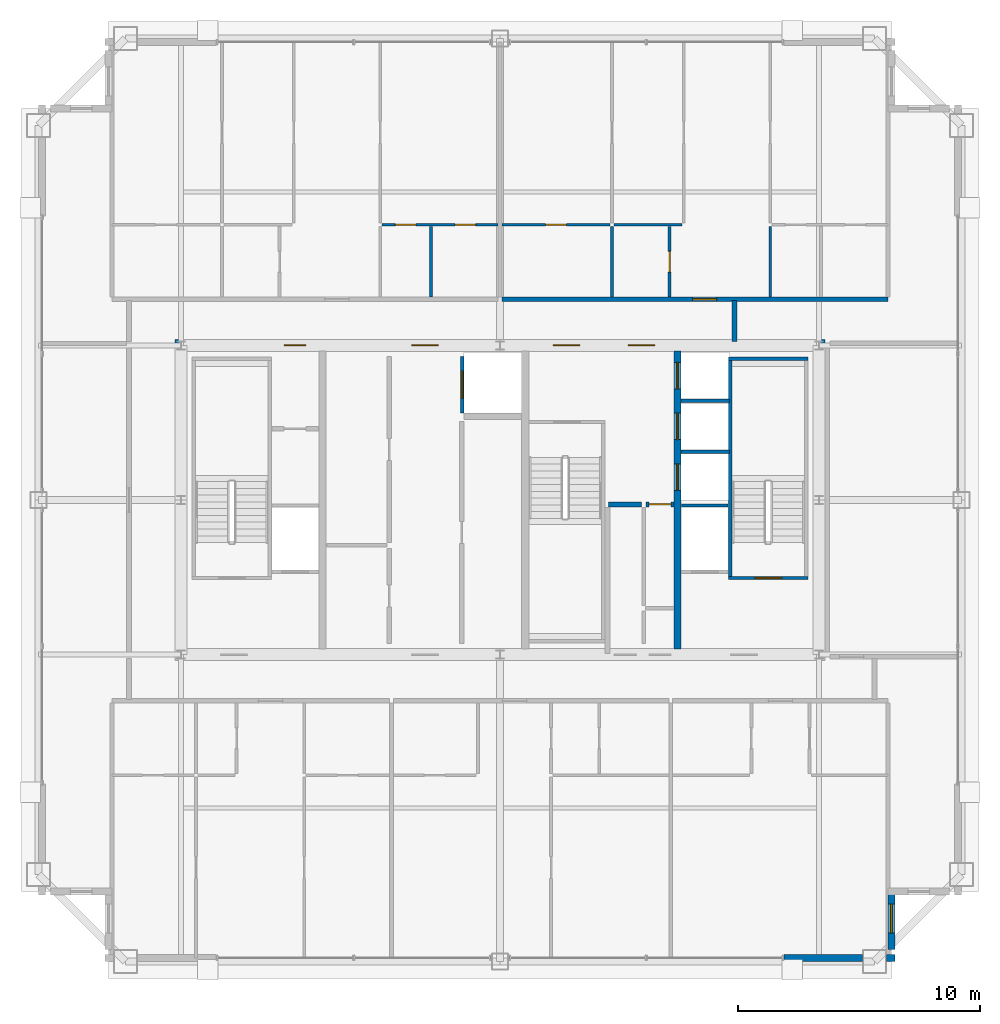
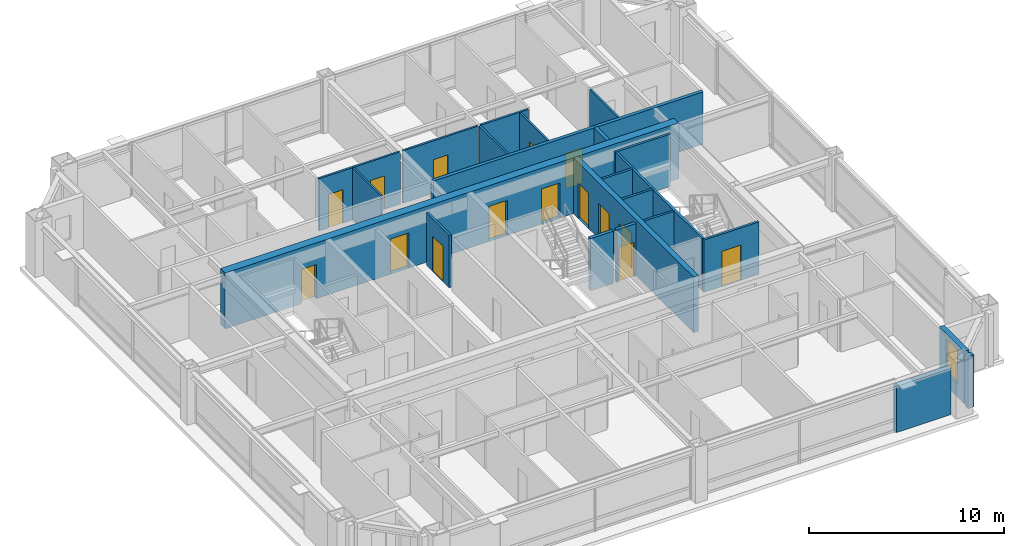
# One storey, part 32 of 35: 23 walls, 15 doors, 1 window, 16 openings.
"""IFC4 building model written with IfcOpenShell, lengths in metres."""

from ifc_helpers import new_model, si_unit, direction, frame, frame_2d, origin, place, context, subcontext, project, spatial, rectangle, extrude, source, transform, mapped, material, layer, layer_set, type_object, element, fill, save


model = new_model("IFC4")

# Units and contexts
model_context = context("Model", 3, precision=1e-05, world=origin(), true_north=direction((0.0, 1.0)))
body_context = subcontext(model_context, "Body", "Model", "MODEL_VIEW")
ifc_project = project(units=[si_unit("LENGTHUNIT", "METRE"), si_unit("AREAUNIT", "SQUARE_METRE"), si_unit("VOLUMEUNIT", "CUBIC_METRE"), si_unit("PLANEANGLEUNIT", "RADIAN"), si_unit("MASSUNIT", "GRAM", prefix="KILO"), si_unit("THERMODYNAMICTEMPERATUREUNIT", "KELVIN"), si_unit("POWERUNIT", "WATT")], contexts=[model_context])

# Site, building, storey
site_placement = place(None, origin())
site = spatial("IfcSite", under=ifc_project, at=site_placement, CompositionType="ELEMENT")
building_placement = place(site_placement, origin())
building = spatial("IfcBuilding", under=site, at=building_placement, Name="Yuzanri Waterfront Tower", CompositionType="ELEMENT")
storey_placement = place(building_placement, frame((0.0, 0.0, 332.199951171875)))
storey = spatial("IfcBuildingStorey", under=building, at=storey_placement, Name="L89", CompositionType="ELEMENT", Elevation=332.199951171875)

# Wall, openings, doors
ifc_material_1 = material(Name="Moisture-Resistant Gypsum Stud Wall", Category="gypsum")
ifc_layer_1 = layer(ifc_material_1, 0.1201171875)
ifc_layer_set_1 = layer_set([ifc_layer_1], Name="Moisture-Resistant Gypsum Stud Wall")
wall_type_1 = type_object("IfcWallType", Name="Bathroom and Kitchen Wet Partition 120", PredefinedType="PARTITIONING", material=ifc_layer_set_1)
wall_1_placement = place(storey_placement, frame((32.1259765625, 37.18994140625, 0.0), z_axis=(0.0, 0.0, 1.0), x_axis=(1.0, 0.0, 0.0)))
wall_1 = element("IfcWall", 1, at=wall_1_placement, inside=storey, type_object=wall_type_1, Name="L89 Partition UW-L89-HN1-SUB-6-S", PredefinedType="PARTITIONING", context=body_context, shape_type="SweptSolid", body=[
    extrude(rectangle(XDim=4.7939453125, YDim=0.1201171875, at=frame_2d((2.39697265625, 0.0))), origin(), (0.0, 0.0, 1.0), 3.280029296875),
])
opening_1_placement = place(wall_1_placement, frame((3.01904296875, 0.0, 0.0)))
opening_1 = element("IfcOpeningElement", 2, at=opening_1_placement, cuts=wall_1, Name="Opening ID-0850", PredefinedType="OPENING", context=body_context, shape_type="SweptSolid", body=[
    extrude(rectangle(XDim=0.85009765625, YDim=2.10009765625, at=frame_2d((0.425048828125, 1.050048828125))), frame((0.0, 0.074951171875, 0.0), z_axis=(0.0, -1.0, 0.0), x_axis=(1.0, 0.0, 0.0)), (0.0, 0.0, 1.0), 0.14990234375),
])
opening_2_placement = place(wall_1_placement, frame((0.5419921875, 0.0, 0.0)))
opening_2 = element("IfcOpeningElement", 3, at=opening_2_placement, cuts=wall_1, Name="Opening ID-0850", PredefinedType="OPENING", context=body_context, shape_type="SweptSolid", body=[
    extrude(rectangle(XDim=0.85009765625, YDim=2.10009765625, at=frame_2d((0.425048828125, 1.050048828125))), frame((0.0, 0.074951171875, 0.0), z_axis=(0.0, -1.0, 0.0), x_axis=(1.0, 0.0, 0.0)), (0.0, 0.0, 1.0), 0.14990234375),
])
ifc_material_2 = material(Name="Moisture-Resistant Lacquered Timber", Category="wood")
door_type_1 = type_object("IfcDoorType", Name="En-Suite Bathroom and Kitchen Swing Door 850x2100", OperationType="NOTDEFINED", PredefinedType="DOOR", material=ifc_material_2)
shared_shape_1 = source(origin(), body_context, "Body", "SweptSolid", [
    extrude(rectangle(XDim=0.85009765625, YDim=2.10009765625, at=frame_2d((0.425048828125, 1.050048828125))), frame((0.0, 0.02490234375, 0.0), z_axis=(0.0, -1.0, 0.0), x_axis=(1.0, 0.0, 0.0)), (0.0, 0.0, 1.0), 0.050048828125),
])
door_1_placement = place(opening_1_placement, origin())
door_1 = element("IfcDoor", 4, at=door_1_placement, inside=storey, type_object=door_type_1, Name="L89 Suite Interior Room Door", OperationType="SINGLE_SWING_RIGHT", OverallHeight=2.10009765625, OverallWidth=0.85009765625, PredefinedType="DOOR", context=body_context, shape_type="MappedRepresentation", body=[
    mapped(shared_shape_1, transform((0.0, 0.0, 0.0), scale=1.0)),
])
fill(opening_1, door_1)
door_2_placement = place(opening_2_placement, origin())
door_2 = element("IfcDoor", 5, at=door_2_placement, inside=storey, type_object=door_type_1, Name="L89 Suite Interior Room Door", OperationType="SINGLE_SWING_LEFT", OverallHeight=2.10009765625, OverallWidth=0.85009765625, PredefinedType="DOOR", context=body_context, shape_type="MappedRepresentation", body=[
    mapped(shared_shape_1, transform((0.0, 0.0, 0.0), scale=1.0)),
])
fill(opening_2, door_2)

# Wall, opening, door
wall_2_placement = place(storey_placement, frame((37.080078125, 37.18994140625, 0.0), z_axis=(0.0, 0.0, 1.0), x_axis=(1.0, 0.0, 0.0)))
wall_2 = element("IfcWall", 6, at=wall_2_placement, inside=storey, type_object=wall_type_1, Name="L89 Partition UW-L89-HN2-SUB-1-N", PredefinedType="PARTITIONING", context=body_context, shape_type="SweptSolid", body=[
    extrude(rectangle(XDim=4.473876953125, YDim=0.1201171875, at=frame_2d((2.23681640625, 0.0))), origin(), (0.0, 0.0, 1.0), 3.280029296875),
])
opening_3_placement = place(wall_2_placement, frame((1.81201171875, 0.0, 0.0)))
opening_3 = element("IfcOpeningElement", 7, at=opening_3_placement, cuts=wall_2, Name="Opening ID-0850", PredefinedType="OPENING", context=body_context, shape_type="SweptSolid", body=[
    extrude(rectangle(XDim=0.85009765625, YDim=2.10009765625, at=frame_2d((0.425048828125, 1.050048828125))), frame((0.0, 0.074951171875, 0.0), z_axis=(0.0, -1.0, 0.0), x_axis=(1.0, 0.0, 0.0)), (0.0, 0.0, 1.0), 0.14990234375),
])
door_3_placement = place(opening_3_placement, origin())
door_3 = element("IfcDoor", 8, at=door_3_placement, inside=storey, type_object=door_type_1, Name="L89 Suite Interior Room Door", OperationType="SINGLE_SWING_RIGHT", OverallHeight=2.10009765625, OverallWidth=0.85009765625, PredefinedType="DOOR", context=body_context, shape_type="MappedRepresentation", body=[
    mapped(shared_shape_1, transform((0.0, 0.0, 0.0), scale=1.0)),
])
fill(opening_3, door_3)

wall_3_placement = place(storey_placement, frame((44.02197265625, 34.2099609375, 0.0), z_axis=(0.0, 0.0, 1.0), x_axis=(0.0, 1.0, 0.0)))
wall_3 = element("IfcWall", 9, at=wall_3_placement, inside=storey, type_object=wall_type_1, Name="L89 Partition UW-L89-HN2-SUB-2-E", PredefinedType="PARTITIONING", context=body_context, shape_type="SweptSolid", body=[
    extrude(rectangle(XDim=2.900146484375, YDim=0.1201171875, at=frame_2d((1.4501953125, 0.0))), origin(), (0.0, 0.0, 1.0), 3.280029296875),
])
opening_4_placement = place(wall_3_placement, frame((1.02490234375, 0.0, 0.0)))
opening_4 = element("IfcOpeningElement", 10, at=opening_4_placement, cuts=wall_3, Name="Opening ID-0850", PredefinedType="OPENING", context=body_context, shape_type="SweptSolid", body=[
    extrude(rectangle(XDim=0.85009765625, YDim=2.10009765625, at=frame_2d((0.425048828125, 1.050048828125))), frame((0.0, 0.074951171875, 0.0), z_axis=(0.0, -1.0, 0.0), x_axis=(1.0, 0.0, 0.0)), (0.0, 0.0, 1.0), 0.14990234375),
])
door_4_placement = place(opening_4_placement, origin())
door_4 = element("IfcDoor", 11, at=door_4_placement, inside=storey, type_object=door_type_1, Name="L89 Suite Interior Room Door", OperationType="SINGLE_SWING_LEFT", OverallHeight=2.10009765625, OverallWidth=0.85009765625, PredefinedType="DOOR", context=body_context, shape_type="MappedRepresentation", body=[
    mapped(shared_shape_1, transform((0.0, 0.0, 0.0), scale=1.0)),
])
fill(opening_4, door_4)

# Wall, opening, window
ifc_material_3 = material(Name="Honed Chongqing Dark Basalt Stone", Category="masonry")
ifc_layer_2 = layer(ifc_material_3, 0.300048828125)
ifc_layer_set_2 = layer_set([ifc_layer_2], Name="Honed Chongqing Dark Basalt Stone")
wall_type_2 = type_object("IfcWallType", Name="Bronze Rainscreen Insulated Spandrel Portal Wall 300", PredefinedType="SOLIDWALL", material=ifc_layer_set_2)
wall_4_placement = place(storey_placement, frame((53.199951171875, 7.199951171875, 0.0), z_axis=(0.0, 0.0, 1.0), x_axis=(0.0, 1.0, 0.0)))
wall_4 = element("IfcWall", 12, at=wall_4_placement, inside=storey, type_object=wall_type_2, Name="L89 Notched Corner Masonry Wall SE-Y", PredefinedType="SOLIDWALL", context=body_context, shape_type="SweptSolid", body=[
    extrude(rectangle(XDim=2.550048828125, YDim=0.300048828125, at=frame_2d((1.27490234375, 0.0))), origin(), (0.0, 0.0, 1.0), 3.280029296875),
])
opening_5_placement = place(wall_4_placement, frame((0.675048828125, 0.0, 0.85009765625)))
opening_5 = element("IfcOpeningElement", 13, at=opening_5_placement, cuts=wall_4, Name="Opening WN-02", PredefinedType="OPENING", context=body_context, shape_type="SweptSolid", body=[
    extrude(rectangle(XDim=1.199951171875, YDim=2.10009765625, at=frame_2d((0.60009765625, 1.050048828125))), frame((0.0, 0.1650390625, 0.0), z_axis=(0.0, -1.0, 0.0), x_axis=(1.0, 0.0, 0.0)), (0.0, 0.0, 1.0), 0.329833984375),
])
ifc_material_4 = material(Name="Double-Silver Low-E Insulated Glass", Category="glass")
window_type = type_object("IfcWindowType", Name="Anodized Bronze Notched Corner Deep-Set Slot Window 1200x2100", PartitioningType="SINGLE_PANEL", PredefinedType="WINDOW", material=ifc_material_4)
shared_shape_2 = source(origin(), body_context, "Body", "SweptSolid", [
    extrude(rectangle(XDim=1.199951171875, YDim=2.10009765625, at=frame_2d((0.60009765625, 1.050048828125))), frame((0.0, 0.030029296875, 0.0), z_axis=(0.0, -1.0, 0.0), x_axis=(1.0, 0.0, 0.0)), (0.0, 0.0, 1.0), 0.06005859375),
])
window_placement = place(opening_5_placement, origin())
window = element("IfcWindow", 14, at=window_placement, inside=storey, type_object=window_type, Name="L89 Notched Corner Window SE-Y", OverallHeight=2.10009765625, OverallWidth=1.199951171875, PartitioningType="SINGLE_PANEL", PredefinedType="WINDOW", context=body_context, shape_type="MappedRepresentation", body=[
    mapped(shared_shape_2, transform((0.0, 0.0, 0.0), scale=1.0)),
])
fill(opening_5, window)

# Wall, openings, doors
ifc_material_5 = material(Name="Concrete C45", Category="concrete")
ifc_layer_3 = layer(ifc_material_5, 0.47998046875)
ifc_layer_set_3 = layer_set([ifc_layer_3], Name="Concrete C45")
wall_type_3 = type_object("IfcWallType", Name="Concrete C45 High-Rise Core Shear Wall 480", PredefinedType="SHEAR", material=ifc_layer_set_3)
wall_5_placement = place(storey_placement, frame((23.56005859375, 32.199951171875, 0.0), z_axis=(0.0, 0.0, 1.0), x_axis=(1.0, 0.0, 0.0)))
wall_5 = element("IfcWall", 15, at=wall_5_placement, inside=storey, type_object=wall_type_3, Name="L89 Core North Shear Wall", PredefinedType="SHEAR", context=body_context, shape_type="SweptSolid", body=[
    extrude(rectangle(XDim=26.8798828125, YDim=0.47998046875, at=frame_2d((13.43994140625, 0.0))), origin(), (0.0, 0.0, 1.0), 3.5),
])
opening_6_placement = place(wall_5_placement, frame((4.510009765625, 0.0, 0.0)))
opening_6 = element("IfcOpeningElement", 16, at=opening_6_placement, cuts=wall_5, Name="Opening FD-0900", PredefinedType="OPENING", context=body_context, shape_type="SweptSolid", body=[
    extrude(rectangle(XDim=0.89990234375, YDim=2.14990234375, at=frame_2d((0.449951171875, 1.074951171875))), frame((0.0, 0.2548828125, 0.0), z_axis=(0.0, -1.0, 0.0), x_axis=(1.0, 0.0, 0.0)), (0.0, 0.0, 1.0), 0.509765625),
])
opening_7_placement = place(wall_5_placement, frame((9.7900390625, 0.0, 0.0)))
opening_7 = element("IfcOpeningElement", 17, at=opening_7_placement, cuts=wall_5, Name="Opening FD-1100", PredefinedType="OPENING", context=body_context, shape_type="SweptSolid", body=[
    extrude(rectangle(XDim=1.10009765625, YDim=2.199951171875, at=frame_2d((0.550048828125, 1.10009765625))), frame((0.0, 0.2548828125, 0.0), z_axis=(0.0, -1.0, 0.0), x_axis=(1.0, 0.0, 0.0)), (0.0, 0.0, 1.0), 0.509765625),
])
opening_8_placement = place(wall_5_placement, frame((15.639892578125, 0.0, 0.0)))
opening_8 = element("IfcOpeningElement", 18, at=opening_8_placement, cuts=wall_5, Name="Opening FD-1100", PredefinedType="OPENING", context=body_context, shape_type="SweptSolid", body=[
    extrude(rectangle(XDim=1.10009765625, YDim=2.199951171875, at=frame_2d((0.550048828125, 1.10009765625))), frame((0.0, 0.2548828125, 0.0), z_axis=(0.0, -1.0, 0.0), x_axis=(1.0, 0.0, 0.0)), (0.0, 0.0, 1.0), 0.509765625),
])
opening_9_placement = place(wall_5_placement, frame((18.739990234375, 0.0, 0.0)))
opening_9 = element("IfcOpeningElement", 19, at=opening_9_placement, cuts=wall_5, Name="Opening FD-1100", PredefinedType="OPENING", context=body_context, shape_type="SweptSolid", body=[
    extrude(rectangle(XDim=1.10009765625, YDim=2.199951171875, at=frame_2d((0.550048828125, 1.10009765625))), frame((0.0, 0.2548828125, 0.0), z_axis=(0.0, -1.0, 0.0), x_axis=(1.0, 0.0, 0.0)), (0.0, 0.0, 1.0), 0.509765625),
])
ifc_material_6 = material(Name="Painted Galvanized Fire Steel", Category="steel")
door_type_2 = type_object("IfcDoorType", Name="Smoke-Proof Stair and Lobby Fire Door 1100x2200", OperationType="NOTDEFINED", PredefinedType="DOOR", material=ifc_material_6)
shared_shape_3 = source(origin(), body_context, "Body", "SweptSolid", [
    extrude(rectangle(XDim=1.10009765625, YDim=2.199951171875, at=frame_2d((0.550048828125, 1.10009765625))), frame((0.0, 0.02490234375, 0.0), z_axis=(0.0, -1.0, 0.0), x_axis=(1.0, 0.0, 0.0)), (0.0, 0.0, 1.0), 0.050048828125),
])
door_5_placement = place(opening_7_placement, origin())
door_5 = element("IfcDoor", 20, at=door_5_placement, inside=storey, type_object=door_type_2, Name="L89 Central Lift Lobby North Door", OperationType="SINGLE_SWING_LEFT", OverallHeight=2.199951171875, OverallWidth=1.10009765625, PredefinedType="DOOR", context=body_context, shape_type="MappedRepresentation", body=[
    mapped(shared_shape_3, transform((0.0, 0.0, 0.0), scale=1.0)),
])
fill(opening_7, door_5)
door_6_placement = place(opening_8_placement, origin())
door_6 = element("IfcDoor", 21, at=door_6_placement, inside=storey, type_object=door_type_2, Name="L89 North Stair Lobby Door", OperationType="SINGLE_SWING_RIGHT", OverallHeight=2.199951171875, OverallWidth=1.10009765625, PredefinedType="DOOR", context=body_context, shape_type="MappedRepresentation", body=[
    mapped(shared_shape_3, transform((0.0, 0.0, 0.0), scale=1.0)),
])
fill(opening_8, door_6)
door_7_placement = place(opening_9_placement, origin())
door_7 = element("IfcDoor", 22, at=door_7_placement, inside=storey, type_object=door_type_2, Name="L89 High-Rise Lift Lobby North Door", OperationType="SINGLE_SWING_LEFT", OverallHeight=2.199951171875, OverallWidth=1.10009765625, PredefinedType="DOOR", context=body_context, shape_type="MappedRepresentation", body=[
    mapped(shared_shape_3, transform((0.0, 0.0, 0.0), scale=1.0)),
])
fill(opening_9, door_7)
ifc_material_7 = material(Name="Painted Galvanized Fire Steel", Category="steel")
door_type_3 = type_object("IfcDoorType", Name="Riser and Service Room Fire Door 900x2150", OperationType="NOTDEFINED", PredefinedType="DOOR", material=ifc_material_7)
shared_shape_4 = source(origin(), body_context, "Body", "SweptSolid", [
    extrude(rectangle(XDim=0.89990234375, YDim=2.14990234375, at=frame_2d((0.449951171875, 1.074951171875))), frame((0.0, 0.02490234375, 0.0), z_axis=(0.0, -1.0, 0.0), x_axis=(1.0, 0.0, 0.0)), (0.0, 0.0, 1.0), 0.050048828125),
])
door_8_placement = place(opening_6_placement, origin())
door_8 = element("IfcDoor", 23, at=door_8_placement, inside=storey, type_object=door_type_3, Name="L89 Telecom Riser Door", OperationType="SINGLE_SWING_RIGHT", OverallHeight=2.14990234375, OverallWidth=0.89990234375, PredefinedType="DOOR", context=body_context, shape_type="MappedRepresentation", body=[
    mapped(shared_shape_4, transform((0.0, 0.0, 0.0), scale=1.0)),
])
fill(opening_6, door_8)

ifc_material_8 = material(Name="Concrete C50", Category="concrete")
ifc_layer_4 = layer(ifc_material_8, 0.300048828125)
ifc_layer_set_4 = layer_set([ifc_layer_4], Name="Concrete C50")
wall_type_4 = type_object("IfcWallType", Name="Concrete C50 Internal Core Shaft Structural Wall 300", PredefinedType="SOLIDWALL", material=ifc_layer_set_4)
wall_6_placement = place(storey_placement, frame((44.35009765625, 19.639892578125, 0.0), z_axis=(0.0, 0.0, 1.0), x_axis=(0.0, 1.0, 0.0)))
wall_6 = element("IfcWall", 24, at=wall_6_placement, inside=storey, type_object=wall_type_4, Name="L89 Core Internal Structural Web Wall 3", PredefinedType="SOLIDWALL", context=body_context, shape_type="SweptSolid", body=[
    extrude(rectangle(XDim=12.320068359375, YDim=0.300048828125, at=frame_2d((6.16015625, 0.0))), origin(), (0.0, 0.0, 1.0), 3.5),
])
opening_10_placement = place(wall_6_placement, frame((6.56005859375, 0.0, 0.0)))
opening_10 = element("IfcOpeningElement", 25, at=opening_10_placement, cuts=wall_6, Name="Opening LD-PL-09", PredefinedType="OPENING", context=body_context, shape_type="SweptSolid", body=[
    extrude(rectangle(XDim=1.10009765625, YDim=2.199951171875, at=frame_2d((0.550048828125, 1.10009765625))), frame((0.0, 0.1650390625, 0.0), z_axis=(0.0, -1.0, 0.0), x_axis=(1.0, 0.0, 0.0)), (0.0, 0.0, 1.0), 0.329833984375),
])
opening_11_placement = place(wall_6_placement, frame((8.659912109375, 0.0, 0.0)))
opening_11 = element("IfcOpeningElement", 26, at=opening_11_placement, cuts=wall_6, Name="Opening LD-PL-10", PredefinedType="OPENING", context=body_context, shape_type="SweptSolid", body=[
    extrude(rectangle(XDim=1.10009765625, YDim=2.199951171875, at=frame_2d((0.550048828125, 1.10009765625))), frame((0.0, 0.1650390625, 0.0), z_axis=(0.0, -1.0, 0.0), x_axis=(1.0, 0.0, 0.0)), (0.0, 0.0, 1.0), 0.329833984375),
])
opening_12_placement = place(wall_6_placement, frame((10.760009765625, 0.0, 0.0)))
opening_12 = element("IfcOpeningElement", 27, at=opening_12_placement, cuts=wall_6, Name="Opening LD-PL-11", PredefinedType="OPENING", context=body_context, shape_type="SweptSolid", body=[
    extrude(rectangle(XDim=1.10009765625, YDim=2.199951171875, at=frame_2d((0.550048828125, 1.10009765625))), frame((0.0, 0.1650390625, 0.0), z_axis=(0.0, -1.0, 0.0), x_axis=(1.0, 0.0, 0.0)), (0.0, 0.0, 1.0), 0.329833984375),
])
ifc_material_9 = material(Name="Brushed Bronze and Stainless Steel Cab", Category="steel")
door_type_4 = type_object("IfcDoorType", Name="Center-Parting Bronze Lift Landing Sliding Door 1100x2200", OperationType="NOTDEFINED", PredefinedType="DOOR", material=ifc_material_9)
shared_shape_5 = source(origin(), body_context, "Body", "SweptSolid", [
    extrude(rectangle(XDim=1.10009765625, YDim=2.199951171875, at=frame_2d((0.550048828125, 1.10009765625))), frame((0.0, 0.02490234375, 0.0), z_axis=(0.0, -1.0, 0.0), x_axis=(1.0, 0.0, 0.0)), (0.0, 0.0, 1.0), 0.050048828125),
])
door_9_placement = place(opening_10_placement, origin())
door_9 = element("IfcDoor", 28, at=door_9_placement, inside=storey, type_object=door_type_4, Name="L89 PL-09 Lift Landing Sliding Door", OperationType="SLIDING_TO_LEFT", OverallHeight=2.199951171875, OverallWidth=1.10009765625, PredefinedType="DOOR", context=body_context, shape_type="MappedRepresentation", body=[
    mapped(shared_shape_5, transform((0.0, 0.0, 0.0), scale=1.0)),
])
fill(opening_10, door_9)
door_10_placement = place(opening_11_placement, origin())
door_10 = element("IfcDoor", 29, at=door_10_placement, inside=storey, type_object=door_type_4, Name="L89 PL-10 Lift Landing Sliding Door", OperationType="SLIDING_TO_RIGHT", OverallHeight=2.199951171875, OverallWidth=1.10009765625, PredefinedType="DOOR", context=body_context, shape_type="MappedRepresentation", body=[
    mapped(shared_shape_5, transform((0.0, 0.0, 0.0), scale=1.0)),
])
fill(opening_11, door_10)
door_11_placement = place(opening_12_placement, origin())
door_11 = element("IfcDoor", 30, at=door_11_placement, inside=storey, type_object=door_type_4, Name="L89 PL-11 Lift Landing Sliding Door", OperationType="SLIDING_TO_LEFT", OverallHeight=2.199951171875, OverallWidth=1.10009765625, PredefinedType="DOOR", context=body_context, shape_type="MappedRepresentation", body=[
    mapped(shared_shape_5, transform((0.0, 0.0, 0.0), scale=1.0)),
])
fill(opening_12, door_11)

# Wall, opening, door
ifc_material_10 = material(Name="Concrete C40", Category="concrete")
ifc_layer_5 = layer(ifc_material_10, 0.139892578125)
ifc_layer_set_5 = layer_set([ifc_layer_5], Name="Concrete C40")
wall_type_5 = type_object("IfcWallType", Name="Core Stair Liner and Hoistway Shaft Wall 140", PredefinedType="SOLIDWALL", material=ifc_layer_set_5)
wall_7_placement = place(storey_placement, frame((35.429931640625, 29.39990234375, 0.0), z_axis=(0.0, 0.0, 1.0), x_axis=(0.0, 1.0, 0.0)))
wall_7 = element("IfcWall", 31, at=wall_7_placement, inside=storey, type_object=wall_type_5, Name="L89 Lift SL-02 Front Shaft Wall", PredefinedType="SOLIDWALL", context=body_context, shape_type="SweptSolid", body=[
    extrude(rectangle(XDim=2.340087890625, YDim=0.139892578125, at=frame_2d((1.169921875, 0.0))), origin(), (0.0, 0.0, 1.0), 3.280029296875),
])
opening_13_placement = place(wall_7_placement, frame((0.6201171875, 0.0, 0.0)))
opening_13 = element("IfcOpeningElement", 32, at=opening_13_placement, cuts=wall_7, Name="Opening LD-SL-02", PredefinedType="OPENING", context=body_context, shape_type="SweptSolid", body=[
    extrude(rectangle(XDim=1.10009765625, YDim=2.199951171875, at=frame_2d((0.550048828125, 1.10009765625))), frame((0.0, 0.0849609375, 0.0), z_axis=(0.0, -1.0, 0.0), x_axis=(1.0, 0.0, 0.0)), (0.0, 0.0, 1.0), 0.169677734375),
])
door_12_placement = place(opening_13_placement, origin())
door_12 = element("IfcDoor", 33, at=door_12_placement, inside=storey, type_object=door_type_4, Name="L89 SL-02 Lift Landing Sliding Door", OperationType="SLIDING_TO_RIGHT", OverallHeight=2.199951171875, OverallWidth=1.10009765625, PredefinedType="DOOR", context=body_context, shape_type="MappedRepresentation", body=[
    mapped(shared_shape_5, transform((0.0, 0.0, 0.0), scale=1.0)),
])
fill(opening_13, door_12)

wall_8_placement = place(storey_placement, frame((46.4599609375, 22.570068359375, 0.0), z_axis=(0.0, 0.0, 1.0), x_axis=(1.0, 0.0, 0.0)))
wall_8 = element("IfcWall", 34, at=wall_8_placement, inside=storey, type_object=wall_type_5, Name="L89 Shaft Wall STW-L89-ST-02-S", PredefinedType="SOLIDWALL", context=body_context, shape_type="SweptSolid", body=[
    extrude(rectangle(XDim=3.280029296875, YDim=0.139892578125, at=frame_2d((1.64013671875, 0.0))), origin(), (0.0, 0.0, 1.0), 3.280029296875),
])
opening_14_placement = place(wall_8_placement, frame((1.090087890625, 0.0, 0.0)))
opening_14 = element("IfcOpeningElement", 35, at=opening_14_placement, cuts=wall_8, Name="Opening FD-1100", PredefinedType="OPENING", context=body_context, shape_type="SweptSolid", body=[
    extrude(rectangle(XDim=1.10009765625, YDim=2.199951171875, at=frame_2d((0.550048828125, 1.10009765625))), frame((0.0, 0.0849609375, 0.0), z_axis=(0.0, -1.0, 0.0), x_axis=(1.0, 0.0, 0.0)), (0.0, 0.0, 1.0), 0.169677734375),
])
door_13_placement = place(opening_14_placement, origin())
door_13 = element("IfcDoor", 36, at=door_13_placement, inside=storey, type_object=door_type_2, Name="L89 Stair ST-02 Fire Door", OperationType="SINGLE_SWING_LEFT", OverallHeight=2.199951171875, OverallWidth=1.10009765625, PredefinedType="DOOR", context=body_context, shape_type="MappedRepresentation", body=[
    mapped(shared_shape_3, transform((0.0, 0.0, 0.0), scale=1.0)),
])
fill(opening_14, door_13)

ifc_material_11 = material(Name="Autoclaved Aerated Concrete Blockwork", Category="masonry")
ifc_layer_6 = layer(ifc_material_11, 0.199951171875)
ifc_layer_set_6 = layer_set([ifc_layer_6], Name="Autoclaved Aerated Concrete Blockwork")
wall_type_6 = type_object("IfcWallType", Name="Corridor and Unit Party Fire Wall 200", PredefinedType="PARTITIONING", material=ifc_layer_set_6)
wall_9_placement = place(storey_placement, frame((43.050048828125, 25.6201171875, 0.0), z_axis=(0.0, 0.0, 1.0), x_axis=(1.0, 0.0, 0.0)))
wall_9 = element("IfcWall", 37, at=wall_9_placement, inside=storey, type_object=wall_type_6, Name="L89 Partition CRW-L89-BOHH-2", PredefinedType="PARTITIONING", context=body_context, shape_type="SweptSolid", body=[
    extrude(rectangle(XDim=1.14990234375, YDim=0.199951171875, at=frame_2d((0.574951171875, 0.0))), origin(), (0.0, 0.0, 1.0), 3.280029296875),
])
opening_15_placement = place(wall_9_placement, frame((0.1201171875, 0.0, 0.0)))
opening_15 = element("IfcOpeningElement", 38, at=opening_15_placement, cuts=wall_9, Name="Opening FD-0900", PredefinedType="OPENING", context=body_context, shape_type="SweptSolid", body=[
    extrude(rectangle(XDim=0.89990234375, YDim=2.14990234375, at=frame_2d((0.449951171875, 1.074951171875))), frame((0.0, 0.11474609375, 0.0), z_axis=(0.0, -1.0, 0.0), x_axis=(1.0, 0.0, 0.0)), (0.0, 0.0, 1.0), 0.229736328125),
])
door_14_placement = place(opening_15_placement, origin())
door_14 = element("IfcDoor", 39, at=door_14_placement, inside=storey, type_object=door_type_3, Name="L89 Linen Store Room", OperationType="SINGLE_SWING_RIGHT", OverallHeight=2.14990234375, OverallWidth=0.89990234375, PredefinedType="DOOR", context=body_context, shape_type="MappedRepresentation", body=[
    mapped(shared_shape_4, transform((0.0, 0.0, 0.0), scale=1.0)),
])
fill(opening_15, door_14)

wall_10_placement = place(storey_placement, frame((37.080078125, 34.110107421875, 0.0), z_axis=(0.0, 0.0, 1.0), x_axis=(1.0, 0.0, 0.0)))
wall_10 = element("IfcWall", 40, at=wall_10_placement, inside=storey, type_object=wall_type_6, Name="L89 Partition UW-L89-HN2-CS", PredefinedType="PARTITIONING", context=body_context, shape_type="SweptSolid", body=[
    extrude(rectangle(XDim=15.97998046875, YDim=0.199951171875, at=frame_2d((7.989990234375, 0.0))), origin(), (0.0, 0.0, 1.0), 3.280029296875),
])
opening_16_placement = place(wall_10_placement, frame((7.887939453125, 0.0, 0.0)))
opening_16 = element("IfcOpeningElement", 41, at=opening_16_placement, cuts=wall_10, Name="Opening FD-1000", PredefinedType="OPENING", context=body_context, shape_type="SweptSolid", body=[
    extrude(rectangle(XDim=1.0, YDim=2.199951171875, at=frame_2d((0.5, 1.10009765625))), frame((0.0, 0.11474609375, 0.0), z_axis=(0.0, -1.0, 0.0), x_axis=(1.0, 0.0, 0.0)), (0.0, 0.0, 1.0), 0.229736328125),
])
ifc_material_12 = material(Name="Engineered Oak Fire-Rated Timber", Category="wood")
door_type_5 = type_object("IfcDoorType", Name="Guestroom and Apartment Entrance Fire Door 1000x2200", OperationType="NOTDEFINED", PredefinedType="DOOR", material=ifc_material_12)
shared_shape_6 = source(origin(), body_context, "Body", "SweptSolid", [
    extrude(rectangle(XDim=1.0, YDim=2.199951171875, at=frame_2d((0.5, 1.10009765625))), frame((0.0, 0.02490234375, 0.0), z_axis=(0.0, -1.0, 0.0), x_axis=(1.0, 0.0, 0.0)), (0.0, 0.0, 1.0), 0.050048828125),
])
door_15_placement = place(opening_16_placement, origin())
door_15 = element("IfcDoor", 42, at=door_15_placement, inside=storey, type_object=door_type_5, Name="L89 Apartment Living and Dining Salon Entrance Door", OperationType="SINGLE_SWING_LEFT", OverallHeight=2.199951171875, OverallWidth=1.0, PredefinedType="DOOR", context=body_context, shape_type="MappedRepresentation", body=[
    mapped(shared_shape_6, transform((0.0, 0.0, 0.0), scale=1.0)),
])
fill(opening_16, door_15)

# Walls
shared_shape_7 = source(origin(), body_context, "Body", "SweptSolid", [
    extrude(rectangle(XDim=3.25, YDim=0.300048828125, at=frame_2d((1.625, 0.0))), origin(), (0.0, 0.0, 1.0), 2.885009765625),
])
wall_11_placement = place(storey_placement, frame((48.75, 6.85009765625, 0.0), z_axis=(0.0, 0.0, 1.0), x_axis=(1.0, 0.0, 0.0)))
element("IfcWall", 43, at=wall_11_placement, inside=storey, type_object=wall_type_2, Name="L89 S Right Braced Masonry Shoulder", PredefinedType="SOLIDWALL", context=body_context, shape_type="MappedRepresentation", body=[
    mapped(shared_shape_7, transform((0.0, 0.0, 0.0), scale=1.0)),
])
shared_shape_8 = source(origin(), body_context, "Body", "SweptSolid", [
    extrude(rectangle(XDim=0.35009765625, YDim=0.300048828125, at=frame_2d((0.175048828125, 0.0))), origin(), (0.0, 0.0, 1.0), 3.280029296875),
])
wall_12_placement = place(storey_placement, frame((53.0, 6.85009765625, 0.0), z_axis=(0.0, 0.0, 1.0), x_axis=(1.0, 0.0, 0.0)))
element("IfcWall", 44, at=wall_12_placement, inside=storey, type_object=wall_type_2, Name="L89 Corner Column Shoulder Return CSE", PredefinedType="SOLIDWALL", context=body_context, shape_type="MappedRepresentation", body=[
    mapped(shared_shape_8, transform((0.0, 0.0, 0.0), scale=1.0)),
])
shared_shape_9 = source(origin(), body_context, "Body", "SweptSolid", [
    extrude(rectangle(XDim=1.919921875, YDim=0.139892578125, at=frame_2d((0.9599609375, 0.0))), origin(), (0.0, 0.0, 1.0), 3.280029296875),
])
wall_13_placement = place(storey_placement, frame((44.52001953125, 25.570068359375, 0.0), z_axis=(0.0, 0.0, 1.0), x_axis=(1.0, 0.0, 0.0)))
element("IfcWall", 45, at=wall_13_placement, inside=storey, type_object=wall_type_5, Name="L89 Lift FL-02 Back Shaft Wall", PredefinedType="SOLIDWALL", context=body_context, shape_type="MappedRepresentation", body=[
    mapped(shared_shape_9, transform((0.0, 0.0, 0.0), scale=1.0)),
])
shared_shape_10 = source(origin(), body_context, "Body", "SweptSolid", [
    extrude(rectangle(XDim=2.0, YDim=0.139892578125, at=frame_2d((1.0, 0.0))), origin(), (0.0, 0.0, 1.0), 3.280029296875),
])
for number, where, z_axis, x_axis, name in (
    (46, (44.5, 27.800048828125, 0.0), (0.0, 0.0, 1.0), (1.0, 0.0, 0.0), "L89 Lift PL-09 Divider Wall"),
    (47, (44.5, 29.89990234375, 0.0), (0.0, 0.0, 1.0), (1.0, 0.0, 0.0), "L89 Lift PL-10 Divider Wall"),
):
    element("IfcWall", number, at=place(storey_placement, frame(where, z_axis=z_axis, x_axis=x_axis)), inside=storey, type_object=wall_type_5, Name=name, PredefinedType="SOLIDWALL", context=body_context, shape_type="MappedRepresentation", body=[
        mapped(shared_shape_10, transform((0.0, 0.0, 0.0), scale=1.0)),
    ])
shared_shape_11 = source(origin(), body_context, "Body", "SweptSolid", [
    extrude(rectangle(XDim=3.280029296875, YDim=0.139892578125, at=frame_2d((1.64013671875, 0.0))), origin(), (0.0, 0.0, 1.0), 3.280029296875),
])
wall_14_placement = place(storey_placement, frame((46.4599609375, 31.64990234375, 0.0), z_axis=(0.0, 0.0, 1.0), x_axis=(1.0, 0.0, 0.0)))
element("IfcWall", 48, at=wall_14_placement, inside=storey, type_object=wall_type_5, Name="L89 Stair ST-02 North Shaft Wall", PredefinedType="SOLIDWALL", context=body_context, shape_type="MappedRepresentation", body=[
    mapped(shared_shape_11, transform((0.0, 0.0, 0.0), scale=1.0)),
])
shared_shape_12 = source(origin(), body_context, "Body", "SweptSolid", [
    extrude(rectangle(XDim=8.940185546875, YDim=0.139892578125, at=frame_2d((4.47021484375, 0.0))), origin(), (0.0, 0.0, 1.0), 3.280029296875),
])
wall_15_placement = place(storey_placement, frame((46.530029296875, 22.639892578125, 0.0), z_axis=(0.0, 0.0, 1.0), x_axis=(0.0, 1.0, 0.0)))
element("IfcWall", 49, at=wall_15_placement, inside=storey, type_object=wall_type_5, Name="L89 Stair ST-02 West Shaft Wall", PredefinedType="SOLIDWALL", context=body_context, shape_type="MappedRepresentation", body=[
    mapped(shared_shape_12, transform((0.0, 0.0, 0.0), scale=1.0)),
])
shared_shape_13 = source(origin(), body_context, "Body", "SweptSolid", [
    extrude(rectangle(XDim=1.35009765625, YDim=0.199951171875, at=frame_2d((0.675048828125, 0.0))), origin(), (0.0, 0.0, 1.0), 3.280029296875),
])
wall_16_placement = place(storey_placement, frame((41.5, 25.6201171875, 0.0), z_axis=(0.0, 0.0, 1.0), x_axis=(1.0, 0.0, 0.0)))
element("IfcWall", 50, at=wall_16_placement, inside=storey, type_object=wall_type_6, Name="L89 Core BOH Split Wall 1", PredefinedType="PARTITIONING", context=body_context, shape_type="MappedRepresentation", body=[
    mapped(shared_shape_13, transform((0.0, 0.0, 0.0), scale=1.0)),
])
shared_shape_14 = source(origin(), body_context, "Body", "SweptSolid", [
    extrude(rectangle(XDim=1.699951171875, YDim=0.199951171875, at=frame_2d((0.85009765625, 0.0))), origin(), (0.0, 0.0, 1.0), 3.280029296875),
])
wall_17_placement = place(storey_placement, frame((46.699951171875, 32.35009765625, 0.0), z_axis=(0.0, 0.0, 1.0), x_axis=(0.0, 1.0, 0.0)))
element("IfcWall", 51, at=wall_17_placement, inside=storey, type_object=wall_type_6, Name="L89 North Foyer East End Wall", PredefinedType="PARTITIONING", context=body_context, shape_type="MappedRepresentation", body=[
    mapped(shared_shape_14, transform((0.0, 0.0, 0.0), scale=1.0)),
])
shared_shape_15 = source(origin(), body_context, "Body", "SweptSolid", [
    extrude(rectangle(XDim=2.900146484375, YDim=0.1201171875, at=frame_2d((1.4501953125, 0.0))), origin(), (0.0, 0.0, 1.0), 3.280029296875),
])
for number, where, z_axis, x_axis, name in (
    (52, (34.139892578125, 34.2099609375, 0.0), (0.0, 0.0, 1.0), (0.0, 1.0, 0.0), "L89 Partition UW-L89-HN1-SUB-3-W"),
    (53, (41.634033203125, 34.2099609375, 0.0), (0.0, 0.0, 1.0), (0.0, 1.0, 0.0), "L89 Partition UW-L89-HN2-SUB-1-E"),
    (54, (48.18603515625, 34.2099609375, 0.0), (0.0, 0.0, 1.0), (0.0, 1.0, 0.0), "L89 Partition UW-L89-HN2-SUB-4-W"),
):
    element("IfcWall", number, at=place(storey_placement, frame(where, z_axis=z_axis, x_axis=x_axis)), inside=storey, type_object=wall_type_1, Name=name, PredefinedType="PARTITIONING", context=body_context, shape_type="MappedRepresentation", body=[
        mapped(shared_shape_15, transform((0.0, 0.0, 0.0), scale=1.0)),
    ])
shared_shape_16 = source(origin(), body_context, "Body", "SweptSolid", [
    extrude(rectangle(XDim=2.811767578125, YDim=0.1201171875, at=frame_2d((1.40576171875, 0.0))), origin(), (0.0, 0.0, 1.0), 3.280029296875),
])
wall_18_placement = place(storey_placement, frame((41.714111328125, 37.18994140625, 0.0), z_axis=(0.0, 0.0, 1.0), x_axis=(1.0, 0.0, 0.0)))
element("IfcWall", 55, at=wall_18_placement, inside=storey, type_object=wall_type_1, Name="L89 Partition UW-L89-HN2-SUB-7-S", PredefinedType="PARTITIONING", context=body_context, shape_type="MappedRepresentation", body=[
    mapped(shared_shape_16, transform((0.0, 0.0, 0.0), scale=1.0)),
])

save(model, "model.ifc")
